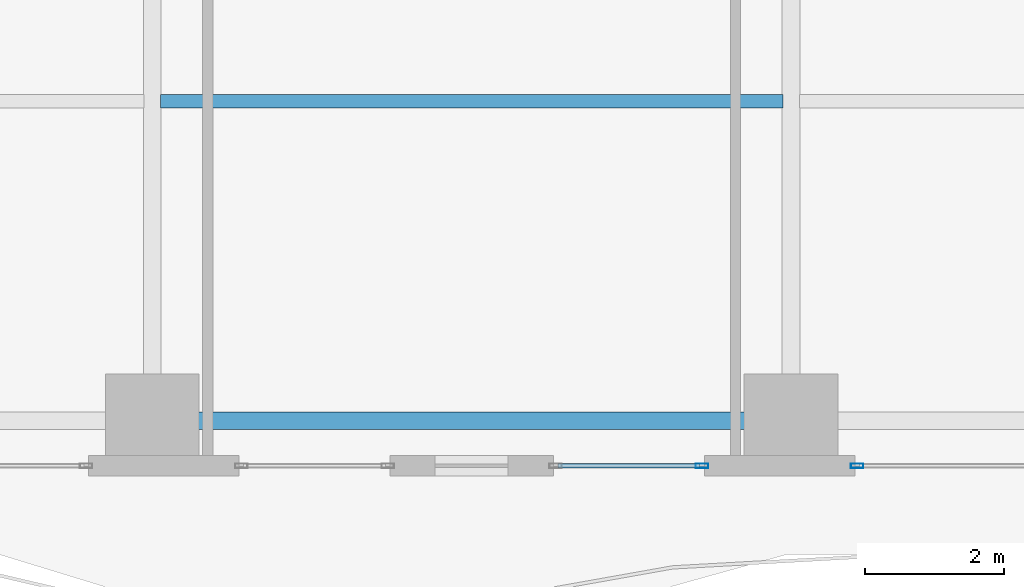
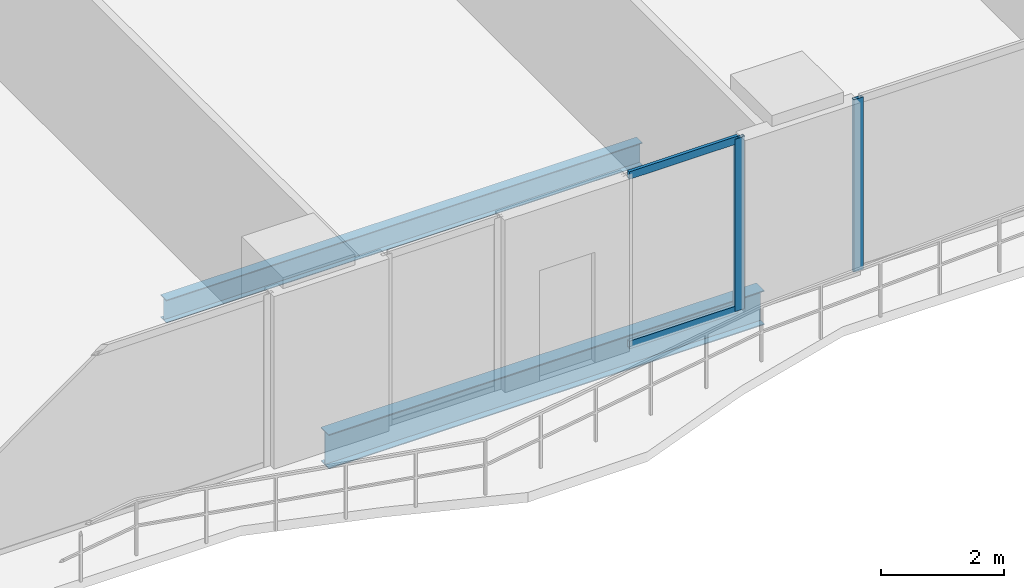
# One storey, part 5 of 28: 4 members, 2 beams, 2 elements without a shape of their own.
"""IFC4 building model written with IfcOpenShell, lengths in metres."""

from ifc_helpers import new_model, si_unit, direction, frame, origin, origin_2d, place, context, subcontext, project, spatial, hollow_rectangle, i_section, extrude, material, layer, layer_set, material_profile, profile_set, type_object, element, aggregate, save


model = new_model("IFC4")

# Units and contexts
model_context = context("Model", 3, precision=1e-05, world=origin(), true_north=direction((0.0, 1.0)))
body_context = subcontext(model_context, "Body", "Model", "MODEL_VIEW")
ifc_project = project(units=[si_unit("LENGTHUNIT", "METRE"), si_unit("AREAUNIT", "SQUARE_METRE"), si_unit("VOLUMEUNIT", "CUBIC_METRE"), si_unit("PLANEANGLEUNIT", "RADIAN"), si_unit("MASSUNIT", "GRAM", prefix="KILO")], contexts=[model_context])

# Site, building, storey
site_placement = place(None, origin())
site = spatial("IfcSite", under=ifc_project, at=site_placement, CompositionType="ELEMENT")
building_placement = place(site_placement, origin())
building = spatial("IfcBuilding", under=site, at=building_placement, Name="Zuhayl Quay Hotel", CompositionType="ELEMENT")
storey_placement = place(building_placement, frame((0.0, 0.0, 99.300048828125)))
storey = spatial("IfcBuildingStorey", under=building, at=storey_placement, Name="L24", CompositionType="ELEMENT", Elevation=99.300048828125)

# Beams
ifc_material_1 = material(Name="Steel ASTM A992 Grade 50", Category="steel")
ifc_material_profile_1 = material_profile(ifc_material_1, i_section(OverallWidth=0.25390625, OverallDepth=0.68310546875, WebThickness=0.012451171875, FlangeThickness=0.018798828125, at=origin_2d()), Name="W27X94")
ifc_profile_set_1 = profile_set([ifc_material_profile_1], Name="Steel ASTM A992 Grade 50")
beam_type_1 = type_object("IfcBeamType", Name="BM_B2_W27X94", PredefinedType="BEAM", material=ifc_profile_set_1)
beam_1_placement = place(storey_placement, frame((-4.10009765625, -14.75, -0.5615234375), z_axis=(1.0, 0.0, 0.0), x_axis=(0.0, 1.0, 0.0)))
element("IfcBeam", 1, at=beam_1_placement, inside=storey, type_object=beam_type_1, Name="L24 Floor Beam RG_L24_02", PredefinedType="BEAM", context=body_context, shape_type="SweptSolid", body=[
    extrude(i_section(OverallWidth=0.25390625, OverallDepth=0.68310546875, WebThickness=0.012451171875, FlangeThickness=0.018798828125, at=origin_2d()), origin(), (0.0, 0.0, 1.0), 8.2001953125),
])
ifc_material_profile_2 = material_profile(ifc_material_1, i_section(OverallWidth=0.18994140625, OverallDepth=0.45703125, WebThickness=0.009033203125, FlangeThickness=0.014404296875, at=origin_2d()), Name="W18X50")
ifc_profile_set_2 = profile_set([ifc_material_profile_2], Name="Steel ASTM A992 Grade 50")
beam_type_2 = type_object("IfcBeamType", Name="BM_J2_W18X50", PredefinedType="JOIST", material=ifc_profile_set_2)
beam_2_placement = place(storey_placement, frame((-4.48095703125, -10.14990234375, -0.448486328125), z_axis=(1.0, 0.0, 0.0), x_axis=(0.0, 1.0, 0.0)))
element("IfcBeam", 2, at=beam_2_placement, inside=storey, type_object=beam_type_2, Name="L24 Floor Beam FJ_L24_5_2", PredefinedType="JOIST", context=body_context, shape_type="SweptSolid", body=[
    extrude(i_section(OverallWidth=0.18994140625, OverallDepth=0.45703125, WebThickness=0.009033203125, FlangeThickness=0.014404296875, at=origin_2d()), origin(), (0.0, 0.0, 1.0), 8.9619140625),
])

# Curtain wall, member
ifc_material_2 = material(Name="Anodised Aluminium 6063-T6", Category="aluminium")
ifc_layer = layer(ifc_material_2, 0.179931640625, Name="Anodised Aluminium 6063-T6", Category="aluminium")
ifc_layer_set = layer_set([ifc_layer], Name="Anodised Aluminium 6063-T6")
curtain_wall_type = type_object("IfcCurtainWallType", Name="CW_SYS_Z2", PredefinedType="USERDEFINED", material=ifc_layer_set)
curtain_wall_1_placement = place(storey_placement, origin())
curtain_wall_1 = element("IfcCurtainWall", 3, at=curtain_wall_1_placement, inside=storey, type_object=curtain_wall_type, Name="L24 Curtain Wall ENV_L24_S_CW2", ObjectType="UNITISED CURTAIN WALL", PredefinedType="USERDEFINED")
ifc_material_3 = material(Name="Black-anodised aluminium 6063-T6", Category="aluminium")
ifc_material_profile_3 = material_profile(ifc_material_3, hollow_rectangle(XDim=0.06494140625, YDim=0.179931640625, WallThickness=0.00341796875, at=origin_2d()), Name="ALU180X65")
ifc_profile_set_3 = profile_set([ifc_material_profile_3], Name="Black-anodised aluminium 6063-T6")
member_type_1 = type_object("IfcMemberType", Name="MB_CW_MUL_180", PredefinedType="MULLION", material=ifc_profile_set_3)
member_1_placement = place(storey_placement, frame((5.552490234375, -15.39990234375, 0.0), z_axis=(0.0, 0.0, 1.0), x_axis=(0.0, -1.0, 0.0)))
member_1 = element("IfcMember", 4, at=member_1_placement, type_object=member_type_1, Name="CW-Z2 mullion 2", PredefinedType="MULLION", context=body_context, shape_type="SweptSolid", body=[
    extrude(hollow_rectangle(XDim=0.06494140625, YDim=0.179931640625, WallThickness=0.00341796875, at=origin_2d()), origin(), (0.0, 0.0, 1.0), 3.429931640625),
])
aggregate(curtain_wall_1, [member_1])

# Curtain wall, members
curtain_wall_2_placement = place(storey_placement, origin())
curtain_wall_2 = element("IfcCurtainWall", 5, at=curtain_wall_2_placement, inside=storey, type_object=curtain_wall_type, Name="L24 Curtain Wall ENV_L24_S_CW3", ObjectType="UNITISED CURTAIN WALL", PredefinedType="USERDEFINED")
member_2_placement = place(storey_placement, frame((3.3173828125, -15.39990234375, 0.0), z_axis=(0.0, 0.0, 1.0), x_axis=(0.0, -1.0, 0.0)))
member_2 = element("IfcMember", 6, at=member_2_placement, type_object=member_type_1, Name="CW-Z2 mullion 1", PredefinedType="MULLION", context=body_context, shape_type="SweptSolid", body=[
    extrude(hollow_rectangle(XDim=0.06494140625, YDim=0.179931640625, WallThickness=0.00341796875, at=origin_2d()), origin(), (0.0, 0.0, 1.0), 3.429931640625),
])
ifc_material_profile_4 = material_profile(ifc_material_3, hollow_rectangle(XDim=0.06005859375, YDim=0.14990234375, WallThickness=0.00341796875, at=origin_2d()), Name="ALU150X60")
ifc_profile_set_4 = profile_set([ifc_material_profile_4], Name="Black-anodised aluminium 6063-T6")
member_type_2 = type_object("IfcMemberType", Name="MB_CW_TRN_150", PredefinedType="USERDEFINED", material=ifc_profile_set_4)
member_3_placement = place(storey_placement, frame((3.284912109375, -15.39990234375, 0.030029296875), z_axis=(-1.0, 0.0, 0.0), x_axis=(0.0, -1.0, 0.0)))
member_3 = element("IfcMember", 7, at=member_3_placement, type_object=member_type_2, Name="CW-Z2 transom 1.1", ObjectType="TRANSOM", PredefinedType="USERDEFINED", context=body_context, shape_type="SweptSolid", body=[
    extrude(hollow_rectangle(XDim=0.06005859375, YDim=0.14990234375, WallThickness=0.00341796875, at=origin_2d()), origin(), (0.0, 0.0, 1.0), 2.044921875),
])
member_4_placement = place(storey_placement, frame((3.284912109375, -15.39990234375, 3.39990234375), z_axis=(-1.0, 0.0, 0.0), x_axis=(0.0, -1.0, 0.0)))
member_4 = element("IfcMember", 8, at=member_4_placement, type_object=member_type_2, Name="CW-Z2 transom 1.2", ObjectType="TRANSOM", PredefinedType="USERDEFINED", context=body_context, shape_type="SweptSolid", body=[
    extrude(hollow_rectangle(XDim=0.06005859375, YDim=0.14990234375, WallThickness=0.00341796875, at=origin_2d()), origin(), (0.0, 0.0, 1.0), 2.044921875),
])
aggregate(curtain_wall_2, [member_2, member_3, member_4])

save(model, "model.ifc")
